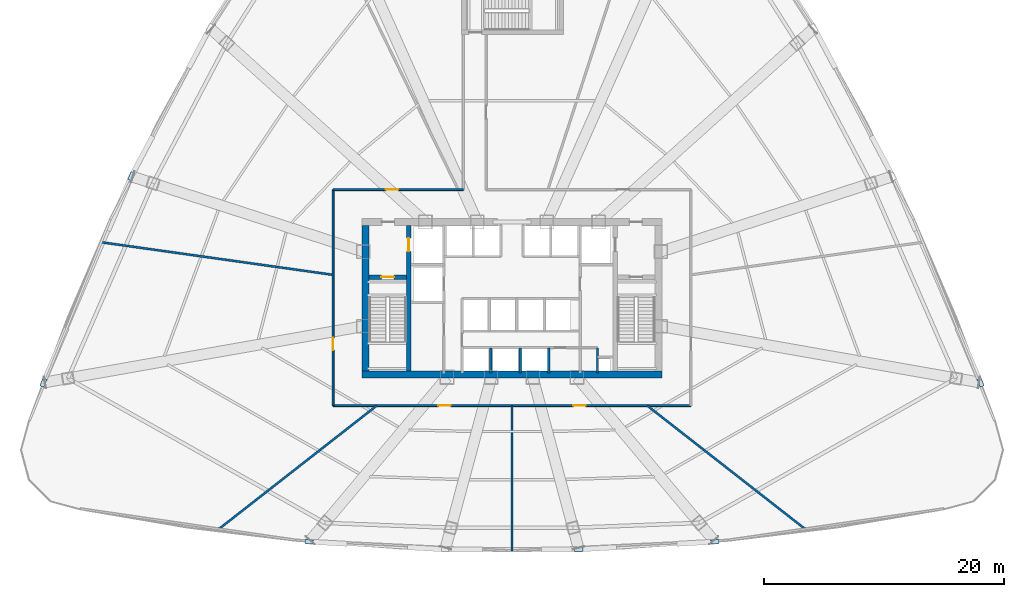
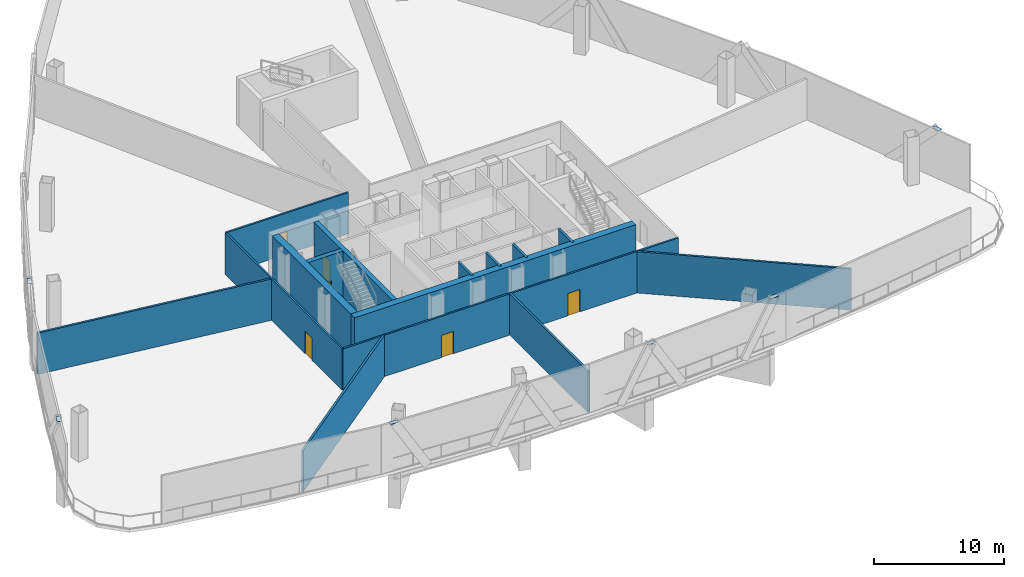
# One storey, part 7 of 15: 15 walls, 6 doors, 6 plates, 6 openings.
"""IFC4 building model written with IfcOpenShell, lengths in metres."""

from ifc_helpers import new_model, si_unit, direction, frame, frame_2d, origin, origin_with_axes, origin_2d, place, context, subcontext, project, spatial, rectangle, extrude, source, transform, mapped, material, layer, layer_set, type_object, element, fill, save


model = new_model("IFC4")

# Units and contexts
model_context = context("Model", 3, precision=1e-05, world=origin(), true_north=direction((0.0, 1.0)))
body_context = subcontext(model_context, "Body", "Model", "MODEL_VIEW")
ifc_project = project(units=[si_unit("LENGTHUNIT", "METRE"), si_unit("AREAUNIT", "SQUARE_METRE"), si_unit("VOLUMEUNIT", "CUBIC_METRE"), si_unit("PLANEANGLEUNIT", "RADIAN"), si_unit("MASSUNIT", "GRAM", prefix="KILO"), si_unit("THERMODYNAMICTEMPERATUREUNIT", "KELVIN"), si_unit("POWERUNIT", "WATT")], contexts=[model_context])

# Site, building, storey
site_placement = place(None, origin())
site = spatial("IfcSite", under=ifc_project, at=site_placement, CompositionType="ELEMENT")
building_placement = place(site_placement, origin())
building = spatial("IfcBuilding", under=site, at=building_placement, Name="Yunzhuo Pagoda Commons", CompositionType="ELEMENT")
storey_placement = place(building_placement, frame((0.0, 0.0, 125.030029296875)))
storey = spatial("IfcBuildingStorey", under=building, at=storey_placement, Name="L31", CompositionType="ELEMENT", Elevation=125.030029296875)

# Plates
ifc_material_1 = material(Name="Structural steel Q355B", Category="steel")
ifc_layer_1 = layer(ifc_material_1, 0.028076171875)
ifc_layer_set_1 = layer_set([ifc_layer_1], Name="Structural steel Q355B")
plate_type = type_object("IfcPlateType", Name="SP-ND1 Lattice Node Cap Plate 800x500x28", PredefinedType="USERDEFINED", material=ifc_layer_set_1)
shared_shape_1 = source(origin(), body_context, "Body", "SweptSolid", [
    extrude(rectangle(XDim=0.699951171875, YDim=0.35009765625, at=origin_2d()), origin(), (0.0, 0.0, 1.0), 0.035888671875),
])
for number, where, z_axis, x_axis, name in (
    (1, (31.101806640625, 13.561279296875, 4.501953125), (0.0, 0.0, 1.0), (0.998388700761, -0.056745063151, 0.0), "L31 setback lattice tie plate F1.1L"),
    (2, (53.568603515625, 12.91748046875, 4.501953125), (0.0, 0.0, 1.0), (0.998388700761, 0.056745063151, 0.0), "L31 setback lattice tie plate F1.3L"),
    (3, (64.898193359375, 13.561279296875, 4.501953125), (0.0, 0.0, 1.0), (0.998388700761, 0.056745063151, 0.0), "L31 setback lattice tie plate F1.3R"),
    (4, (87.0478515625, 26.814697265625, 4.501953125), (0.0, 0.0, 1.0), (-0.392080238691, 0.919931022647, 0.0), "L31 setback lattice tie plate F2.1L"),
    (5, (16.279541015625, 44.006591796875, 4.501953125), (0.0, 0.0, 1.0), (-0.392080238691, -0.919931022647, 0.0), "L31 setback lattice tie plate F3.3L"),
    (6, (8.9521484375, 26.814697265625, 4.501953125), (0.0, 0.0, 1.0), (-0.392080238691, -0.919931022647, 0.0), "L31 setback lattice tie plate F3.3R"),
):
    element("IfcPlate", number, at=place(storey_placement, frame(where, z_axis=z_axis, x_axis=x_axis)), inside=storey, type_object=plate_type, Name=name, ObjectType="STIFFENER_PLATE", PredefinedType="USERDEFINED", context=body_context, shape_type="MappedRepresentation", body=[
        mapped(shared_shape_1, transform((0.0, 0.0, 0.0), scale=1.0)),
    ])

# Walls
ifc_material_2 = material(Name="Concrete C60", Category="concrete")
ifc_layer_2 = layer(ifc_material_2, 0.60009765625)
ifc_layer_set_2 = layer_set([ifc_layer_2], Name="Concrete C60")
wall_type_1 = type_object("IfcWallType", Name="W-C02 Mid Core Shear Wall 600", PredefinedType="SHEAR", material=ifc_layer_set_2)
wall_1_placement = place(storey_placement, frame((35.5, 27.5, 0.0), z_axis=(0.0, 0.0, 1.0), x_axis=(1.0, 0.0, 0.0)))
element("IfcWall", 7, at=wall_1_placement, inside=storey, type_object=wall_type_1, Name="L31 core shear wall S", PredefinedType="SHEAR", context=body_context, shape_type="SweptSolid", body=[
    extrude(rectangle(XDim=25.0, YDim=0.60009765625, at=frame_2d((12.5, 0.0))), origin(), (0.0, 0.0, 1.0), 4.5400390625),
])
wall_2_placement = place(storey_placement, frame((35.800048828125, 27.800048828125, 0.0), z_axis=(0.0, 0.0, 1.0), x_axis=(0.0, 1.0, 0.0)))
element("IfcWall", 8, at=wall_2_placement, inside=storey, type_object=wall_type_1, Name="L31 core shear wall W", PredefinedType="SHEAR", context=body_context, shape_type="SweptSolid", body=[
    extrude(rectangle(XDim=12.099853515625, YDim=0.60009765625, at=frame_2d((6.0498046875, 0.0))), origin(), (0.0, 0.0, 1.0), 4.5400390625),
])

# Wall, openings, doors
ifc_material_3 = material(Name="Gypsum plasterboard on acoustic stud")
ifc_layer_3 = layer(ifc_material_3, 0.159912109375)
ifc_layer_set_3 = layer_set([ifc_layer_3], Name="Gypsum plasterboard on acoustic stud")
wall_type_2 = type_object("IfcWallType", Name="W-COR1 Tower Rated Corridor Wall 160", PredefinedType="PARTITIONING", material=ifc_layer_set_3)
wall_3_placement = place(storey_placement, frame((62.89990234375, 24.89990234375, 0.0), z_axis=(0.0, 0.0, 1.0), x_axis=(-1.0, 0.0, 0.0)))
wall_3 = element("IfcWall", 9, at=wall_3_placement, inside=storey, type_object=wall_type_2, Name="L31 interior wall IW-L31-SCW04", PredefinedType="PARTITIONING", context=body_context, shape_type="SweptSolid", body=[
    extrude(rectangle(XDim=29.7998046875, YDim=0.159912109375, at=frame_2d((14.89990234375, 0.0))), origin(), (0.0, 0.0, 1.0), 3.889892578125),
])
opening_1_placement = place(wall_3_placement, frame((20.006591796875, 0.0, 0.0)))
opening_1 = element("IfcOpeningElement", 10, at=opening_1_placement, cuts=wall_3, Name="Opening D-02", PredefinedType="OPENING", context=body_context, shape_type="SweptSolid", body=[
    extrude(rectangle(XDim=1.050048828125, YDim=2.10009765625, at=frame_2d((0.52490234375, 1.050048828125))), frame((0.0, 0.08984375, 0.0), z_axis=(0.0, -1.0, 0.0), x_axis=(1.0, 0.0, 0.0)), (0.0, 0.0, 1.0), 0.179931640625),
])
opening_2_placement = place(wall_3_placement, frame((8.743408203125, 0.0, 0.0)))
opening_2 = element("IfcOpeningElement", 11, at=opening_2_placement, cuts=wall_3, Name="Opening D-02", PredefinedType="OPENING", context=body_context, shape_type="SweptSolid", body=[
    extrude(rectangle(XDim=1.050048828125, YDim=2.10009765625, at=frame_2d((0.52490234375, 1.050048828125))), frame((0.0, 0.08984375, 0.0), z_axis=(0.0, -1.0, 0.0), x_axis=(1.0, 0.0, 0.0)), (0.0, 0.0, 1.0), 0.179931640625),
])
ifc_material_4 = material(Name="Galvanized fire-resisting metal leaf")
door_type_1 = type_object("IfcDoorType", Name="D-02 Firefighting Lobby & Refuge Fire Door 1050x2100", OperationType="NOTDEFINED", PredefinedType="DOOR", material=ifc_material_4)
shared_shape_2 = source(origin(), body_context, "Body", "SweptSolid", [
    extrude(rectangle(XDim=1.050048828125, YDim=2.10009765625, at=frame_2d((0.52490234375, 1.050048828125))), frame((0.0, 0.02490234375, 0.0), z_axis=(0.0, -1.0, 0.0), x_axis=(1.0, 0.0, 0.0)), (0.0, 0.0, 1.0), 0.050048828125),
])
door_1_placement = place(opening_1_placement, origin_with_axes())
door_1 = element("IfcDoor", 12, at=door_1_placement, inside=storey, type_object=door_type_1, Name="L31 South Refuge Area door", OperationType="SINGLE_SWING_LEFT", OverallHeight=2.10009765625, OverallWidth=1.050048828125, PredefinedType="DOOR", context=body_context, shape_type="MappedRepresentation", body=[
    mapped(shared_shape_2, transform((0.0, 0.0, 0.0), scale=1.0)),
])
fill(opening_1, door_1)
door_2_placement = place(opening_2_placement, origin_with_axes())
door_2 = element("IfcDoor", 13, at=door_2_placement, inside=storey, type_object=door_type_1, Name="L31 South Refuge Area door", OperationType="SINGLE_SWING_RIGHT", OverallHeight=2.10009765625, OverallWidth=1.050048828125, PredefinedType="DOOR", context=body_context, shape_type="MappedRepresentation", body=[
    mapped(shared_shape_2, transform((0.0, 0.0, 0.0), scale=1.0)),
])
fill(opening_2, door_2)

# Wall, opening, door
wall_4_placement = place(storey_placement, frame((33.10009765625, 24.89990234375, 0.0), z_axis=(0.0, 0.0, 1.0), x_axis=(0.0, 1.0, 0.0)))
wall_4 = element("IfcWall", 14, at=wall_4_placement, inside=storey, type_object=wall_type_2, Name="L31 interior wall IW-L31-SCW05", PredefinedType="PARTITIONING", context=body_context, shape_type="SweptSolid", body=[
    extrude(rectangle(XDim=18.0, YDim=0.159912109375, at=frame_2d((9.0, 0.0))), origin(), (0.0, 0.0, 1.0), 3.889892578125),
])
opening_3_placement = place(wall_4_placement, frame((4.6220703125, 0.0, 0.0)))
opening_3 = element("IfcOpeningElement", 15, at=opening_3_placement, cuts=wall_4, Name="Opening D-02", PredefinedType="OPENING", context=body_context, shape_type="SweptSolid", body=[
    extrude(rectangle(XDim=1.050048828125, YDim=2.10009765625, at=frame_2d((0.52490234375, 1.050048828125))), frame((0.0, 0.08984375, 0.0), z_axis=(0.0, -1.0, 0.0), x_axis=(1.0, 0.0, 0.0)), (0.0, 0.0, 1.0), 0.179931640625),
])
door_3_placement = place(opening_3_placement, origin_with_axes())
door_3 = element("IfcDoor", 16, at=door_3_placement, inside=storey, type_object=door_type_1, Name="L31 Hydronic and Fire Pump Plant Room door", OperationType="SINGLE_SWING_RIGHT", OverallHeight=2.10009765625, OverallWidth=1.050048828125, PredefinedType="DOOR", context=body_context, shape_type="MappedRepresentation", body=[
    mapped(shared_shape_2, transform((0.0, 0.0, 0.0), scale=1.0)),
])
fill(opening_3, door_3)

wall_5_placement = place(storey_placement, frame((33.10009765625, 42.89990234375, 0.0), z_axis=(0.0, 0.0, 1.0), x_axis=(1.0, 0.0, 0.0)))
wall_5 = element("IfcWall", 17, at=wall_5_placement, inside=storey, type_object=wall_type_2, Name="L31 interior wall IW-L31-SCW06", PredefinedType="PARTITIONING", context=body_context, shape_type="SweptSolid", body=[
    extrude(rectangle(XDim=10.849853515625, YDim=0.159912109375, at=frame_2d((5.4248046875, 0.0))), origin(), (0.0, 0.0, 1.0), 3.889892578125),
])
opening_4_placement = place(wall_5_placement, frame((4.38134765625, 0.0, 0.0)))
opening_4 = element("IfcOpeningElement", 18, at=opening_4_placement, cuts=wall_5, Name="Opening D-02", PredefinedType="OPENING", context=body_context, shape_type="SweptSolid", body=[
    extrude(rectangle(XDim=1.050048828125, YDim=2.10009765625, at=frame_2d((0.52490234375, 1.050048828125))), frame((0.0, 0.08984375, 0.0), z_axis=(0.0, -1.0, 0.0), x_axis=(1.0, 0.0, 0.0)), (0.0, 0.0, 1.0), 0.179931640625),
])
door_4_placement = place(opening_4_placement, origin_with_axes())
door_4 = element("IfcDoor", 19, at=door_4_placement, inside=storey, type_object=door_type_1, Name="L31 Air Handling Plant Room door", OperationType="SINGLE_SWING_LEFT", OverallHeight=2.10009765625, OverallWidth=1.050048828125, PredefinedType="DOOR", context=body_context, shape_type="MappedRepresentation", body=[
    mapped(shared_shape_2, transform((0.0, 0.0, 0.0), scale=1.0)),
])
fill(opening_4, door_4)

# Walls
ifc_layer_4 = layer(ifc_material_3, 0.179931640625)
ifc_layer_set_4 = layer_set([ifc_layer_4], Name="Gypsum plasterboard on acoustic stud")
wall_type_3 = type_object("IfcWallType", Name="W-PRT2 Acoustic Unit Demising Wall 180", PredefinedType="PARTITIONING", material=ifc_layer_set_4)
wall_6_placement = place(storey_placement, frame((33.10009765625, 35.794189453125, 0.0), z_axis=(0.0, 0.0, 1.0), x_axis=(-0.990268733373, 0.13916837178, 0.0)))
element("IfcWall", 20, at=wall_6_placement, inside=storey, type_object=wall_type_3, Name="L31 interior wall IW-L31-SRAD4", PredefinedType="PARTITIONING", context=body_context, shape_type="SweptSolid", body=[
    extrude(rectangle(XDim=19.512939453125, YDim=0.179931640625, at=frame_2d((9.75634765625, 0.0))), origin(), (0.0, 0.0, 1.0), 3.889892578125),
])
wall_7_placement = place(storey_placement, frame((36.736572265625, 24.89990234375, 0.0), z_axis=(0.0, 0.0, 1.0), x_axis=(-0.788012847889, -0.615658794758, 0.0)))
element("IfcWall", 21, at=wall_7_placement, inside=storey, type_object=wall_type_3, Name="L31 interior wall IW-L31-SRAD5", PredefinedType="PARTITIONING", context=body_context, shape_type="SweptSolid", body=[
    extrude(rectangle(XDim=16.69921875, YDim=0.179931640625, at=frame_2d((8.349609375, 0.0))), origin(), (0.0, 0.0, 1.0), 3.889892578125),
])
wall_8_placement = place(storey_placement, frame((48.0, 24.89990234375, 0.0), z_axis=(0.0, 0.0, 1.0), x_axis=(0.0, -1.0, 0.0)))
element("IfcWall", 22, at=wall_8_placement, inside=storey, type_object=wall_type_3, Name="L31 interior wall IW-L31-SRAD6", PredefinedType="PARTITIONING", context=body_context, shape_type="SweptSolid", body=[
    extrude(rectangle(XDim=12.094970703125, YDim=0.179931640625, at=frame_2d((6.04736328125, 0.0))), origin(), (0.0, 0.0, 1.0), 3.889892578125),
])
wall_9_placement = place(storey_placement, frame((59.263427734375, 24.89990234375, 0.0), z_axis=(0.0, 0.0, 1.0), x_axis=(0.788012847889, -0.615658794758, 0.0)))
element("IfcWall", 23, at=wall_9_placement, inside=storey, type_object=wall_type_3, Name="L31 interior wall IW-L31-SRAD7", PredefinedType="PARTITIONING", context=body_context, shape_type="SweptSolid", body=[
    extrude(rectangle(XDim=16.69921875, YDim=0.179931640625, at=frame_2d((8.349609375, 0.0))), origin(), (0.0, 0.0, 1.0), 3.889892578125),
])

# Wall, opening, door
ifc_layer_5 = layer(ifc_material_2, 0.39990234375)
ifc_layer_set_5 = layer_set([ifc_layer_5], Name="Concrete C60")
wall_type_4 = type_object("IfcWallType", Name="W-S01 Internal Core Shear Web 400", PredefinedType="SHEAR", material=ifc_layer_set_5)
wall_10_placement = place(storey_placement, frame((39.39990234375, 27.800048828125, 0.0), z_axis=(0.0, 0.0, 1.0), x_axis=(0.0, 1.0, 0.0)))
wall_10 = element("IfcWall", 24, at=wall_10_placement, inside=storey, type_object=wall_type_4, Name="L31 core shear wall WEBW", PredefinedType="SHEAR", context=body_context, shape_type="SweptSolid", body=[
    extrude(rectangle(XDim=12.099853515625, YDim=0.39990234375, at=frame_2d((6.0498046875, 0.0))), origin(), (0.0, 0.0, 1.0), 4.5400390625),
])
opening_5_placement = place(wall_10_placement, frame((9.949951171875, 0.0, 0.0)))
opening_5 = element("IfcOpeningElement", 25, at=opening_5_placement, cuts=wall_10, Name="Opening LD-01", PredefinedType="OPENING", context=body_context, shape_type="SweptSolid", body=[
    extrude(rectangle(XDim=1.10009765625, YDim=2.10009765625, at=frame_2d((0.550048828125, 1.050048828125))), frame((0.0, 0.2099609375, 0.0), z_axis=(0.0, -1.0, 0.0), x_axis=(1.0, 0.0, 0.0)), (0.0, 0.0, 1.0), 0.419921875),
])
door_type_2 = type_object("IfcDoorType", Name="LD-01 Firefighting Lift Landing Door 1100x2100", OperationType="DOUBLE_DOOR_SLIDING", PredefinedType="DOOR", material=ifc_material_4)
shared_shape_3 = source(origin(), body_context, "Body", "SweptSolid", [
    extrude(rectangle(XDim=1.10009765625, YDim=2.10009765625, at=frame_2d((0.550048828125, 1.050048828125))), frame((0.0, 0.02490234375, 0.0), z_axis=(0.0, -1.0, 0.0), x_axis=(1.0, 0.0, 0.0)), (0.0, 0.0, 1.0), 0.050048828125),
])
door_5_placement = place(opening_5_placement, frame((1.10009765625, 0.0, 0.0), z_axis=(0.0, 0.0, 1.0), x_axis=(-1.0, 0.0, 0.0)))
door_5 = element("IfcDoor", 26, at=door_5_placement, inside=storey, type_object=door_type_2, Name="L31 Firefighting lift FL-1 landing door", OperationType="DOUBLE_DOOR_SLIDING", OverallHeight=2.10009765625, OverallWidth=1.10009765625, PredefinedType="DOOR", context=body_context, shape_type="MappedRepresentation", body=[
    mapped(shared_shape_3, transform((0.0, 0.0, 0.0), scale=1.0)),
])
fill(opening_5, door_5)

wall_11_placement = place(storey_placement, frame((36.10009765625, 35.60009765625, 0.0), z_axis=(0.0, 0.0, 1.0), x_axis=(1.0, 0.0, 0.0)))
wall_11 = element("IfcWall", 27, at=wall_11_placement, inside=storey, type_object=wall_type_4, Name="L31 core shear wall STW", PredefinedType="SHEAR", context=body_context, shape_type="SweptSolid", body=[
    extrude(rectangle(XDim=3.099853515625, YDim=0.39990234375, at=frame_2d((1.5498046875, 0.0))), origin(), (0.0, 0.0, 1.0), 4.5400390625),
])
opening_6_placement = place(wall_11_placement, frame((1.02001953125, 0.0, 0.0)))
opening_6 = element("IfcOpeningElement", 28, at=opening_6_placement, cuts=wall_11, Name="Opening D-01", PredefinedType="OPENING", context=body_context, shape_type="SweptSolid", body=[
    extrude(rectangle(XDim=1.050048828125, YDim=2.10009765625, at=frame_2d((0.52490234375, 1.050048828125))), frame((0.0, 0.2099609375, 0.0), z_axis=(0.0, -1.0, 0.0), x_axis=(1.0, 0.0, 0.0)), (0.0, 0.0, 1.0), 0.419921875),
])
door_type_3 = type_object("IfcDoorType", Name="D-01 Smokeproof Stair Fire Door 1050x2100", OperationType="NOTDEFINED", PredefinedType="DOOR", material=ifc_material_4)
door_6_placement = place(opening_6_placement, frame((1.050048828125, 0.0, 0.0), z_axis=(0.0, 0.0, 1.0), x_axis=(-1.0, 0.0, 0.0)))
door_6 = element("IfcDoor", 29, at=door_6_placement, inside=storey, type_object=door_type_3, Name="L31 Stair ST1 fire door", OperationType="SINGLE_SWING_LEFT", OverallHeight=2.10009765625, OverallWidth=1.050048828125, PredefinedType="DOOR", context=body_context, shape_type="MappedRepresentation", body=[
    mapped(shared_shape_2, transform((0.0, 0.0, 0.0), scale=1.0)),
])
fill(opening_6, door_6)

# Walls
ifc_material_5 = material(Name="Concrete C40", Category="concrete")
ifc_layer_6 = layer(ifc_material_5, 0.199951171875)
ifc_layer_set_6 = layer_set([ifc_layer_6], Name="Concrete C40")
wall_type_5 = type_object("IfcWallType", Name="W-SHF Shaft & Stair Enclosure Wall 200", PredefinedType="SOLIDWALL", material=ifc_layer_set_6)
for number, where, z_axis, x_axis, name in (
    (30, (51.050048828125, 27.60009765625, 0.0), (0.0, 0.0, 1.0), (0.0, 1.0, 0.0), "L31 interior wall IW-L31-PLHE"),
    (31, (46.22509765625, 27.60009765625, 0.0), (0.0, 0.0, 1.0), (0.0, 1.0, 0.0), "L31 interior wall IW-L31-PLHD1"),
    (32, (48.675048828125, 27.60009765625, 0.0), (0.0, 0.0, 1.0), (0.0, 1.0, 0.0), "L31 interior wall IW-L31-PLHD2"),
    (33, (55.1201171875, 27.60009765625, 0.0), (0.0, 0.0, 1.0), (0.0, 1.0, 0.0), "L31 interior wall IW-L31-RSHFW"),
):
    element("IfcWall", number, at=place(storey_placement, frame(where, z_axis=z_axis, x_axis=x_axis)), inside=storey, type_object=wall_type_5, Name=name, PredefinedType="SOLIDWALL", context=body_context, shape_type="SweptSolid", body=[
        extrude(rectangle(XDim=2.119873046875, YDim=0.199951171875, at=frame_2d((1.06005859375, 0.0))), origin(), (0.0, 0.0, 1.0), 4.5400390625),
    ])

save(model, "model.ifc")
